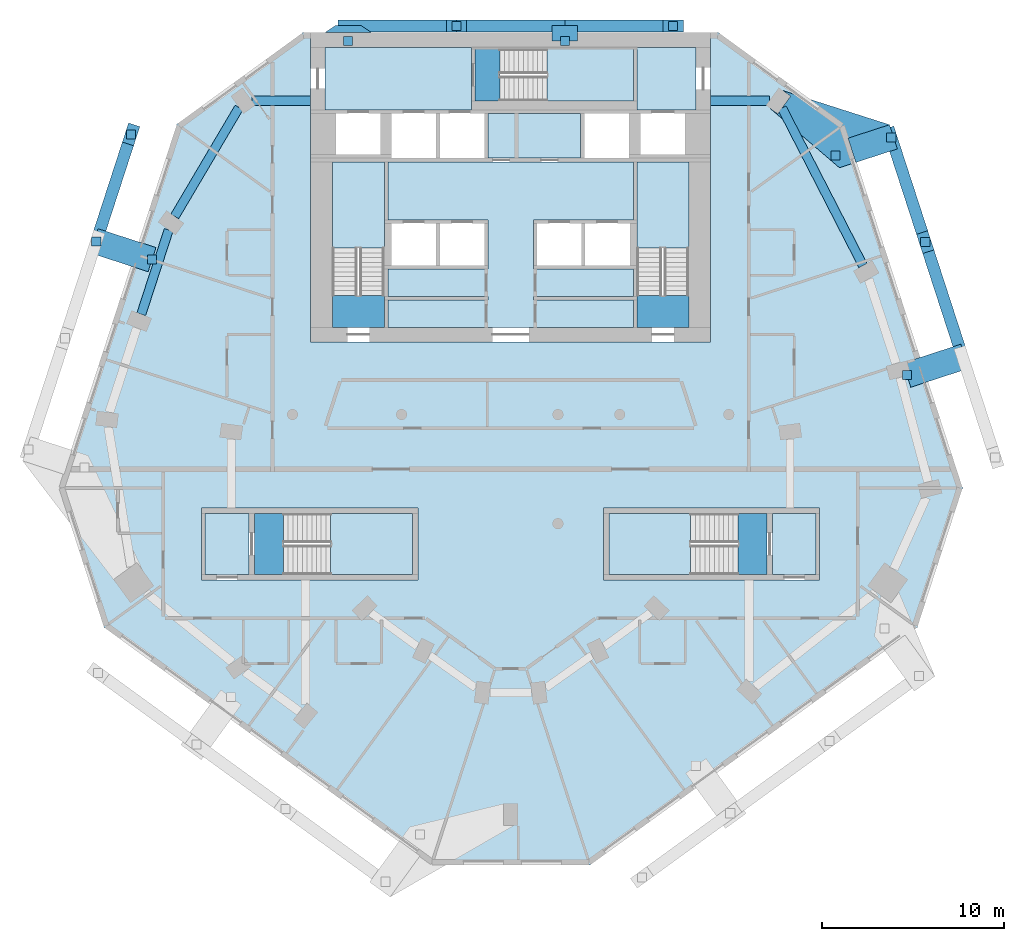
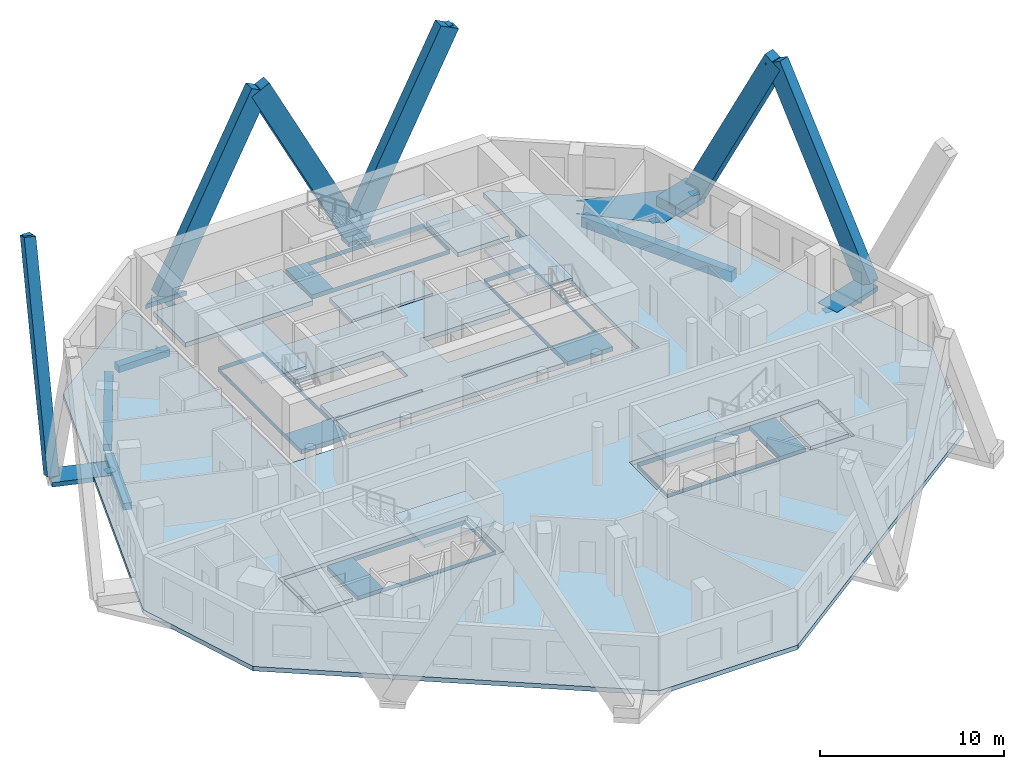
# One storey, part 2 of 10: 17 slabs, 12 members, 11 discrete accessories, 5 beams, 5 elements without a shape of their own.
"""IFC4 building model written with IfcOpenShell, lengths in metres."""

from ifc_helpers import new_model, si_unit, direction, frame, origin, origin_2d, place, context, subcontext, project, spatial, polyline, rectangle, outline, extrude, material, layer, layer_set, material_profile, profile_set, type_object, element, aggregate, save


model = new_model("IFC4")

# Units and contexts
model_context = context("Model", 3, precision=1e-05, world=origin(), true_north=direction((0.0, 1.0)))
body_context = subcontext(model_context, "Body", "Model", "MODEL_VIEW")
ifc_project = project(units=[si_unit("LENGTHUNIT", "METRE"), si_unit("AREAUNIT", "SQUARE_METRE"), si_unit("VOLUMEUNIT", "CUBIC_METRE"), si_unit("PLANEANGLEUNIT", "RADIAN"), si_unit("MASSUNIT", "GRAM", prefix="KILO")], contexts=[model_context])

# Site, building, storey
site_placement = place(None, origin())
site = spatial("IfcSite", under=ifc_project, at=site_placement, CompositionType="ELEMENT")
building_placement = place(site_placement, origin())
building = spatial("IfcBuilding", under=site, at=building_placement, Name="White Candle Pilgrim Tower", CompositionType="ELEMENT")
storey_placement = place(building_placement, frame((0.0, 0.0, 208.199951171875)))
storey = spatial("IfcBuildingStorey", under=building, at=storey_placement, Name="L48", CompositionType="ELEMENT", Elevation=208.199951171875)

# Member
ifc_material_1 = material(Name="Concrete C70/85, white", Category="concrete")
ifc_material_profile_1 = material_profile(ifc_material_1, rectangle(XDim=0.64990234375, YDim=1.25, at=origin_2d()), Name="RC-DG 650x1250")
ifc_profile_set_1 = profile_set([ifc_material_profile_1], Name="Concrete C70/85, white")
member_type_1 = type_object("IfcMemberType", Name="Exoskeleton diagonal RC-DG 650x1250 C70/85", PredefinedType="BRACE", material=ifc_profile_set_1)
member_1_placement = place(storey_placement, frame((72.97900390625, 88.375, 0.0), z_axis=(0.453783992732, 0.0, 0.891111714624), x_axis=(0.0, 1.0, 0.0)))
member_1 = element("IfcMember", 1, at=member_1_placement, inside=storey, type_object=member_type_1, Name="Exoskeleton diagonal EX184", PredefinedType="BRACE", context=body_context, shape_type="SweptSolid", body=[
    extrude(rectangle(XDim=0.64990234375, YDim=1.25, at=origin_2d()), origin(), (0.0, 0.0, 1.0), 13.129638671875),
])

member_2_placement = place(storey_placement, frame((72.97900390625, 88.375, 0.0), z_axis=(-0.453783992732, 0.0, 0.891111714624), x_axis=(0.0, -1.0, 0.0)))
member_2 = element("IfcMember", 2, at=member_2_placement, inside=storey, type_object=member_type_1, Name="Exoskeleton diagonal EX185", PredefinedType="BRACE", context=body_context, shape_type="SweptSolid", body=[
    extrude(rectangle(XDim=0.64990234375, YDim=1.25, at=origin_2d()), origin(), (0.0, 0.0, 1.0), 13.129638671875),
])

member_3_placement = place(storey_placement, frame((61.06298828125, 88.375, 0.0), z_axis=(0.453783992732, 0.0, 0.891111714624), x_axis=(0.0, 1.0, 0.0)))
element("IfcMember", 3, at=member_3_placement, inside=storey, type_object=member_type_1, Name="Exoskeleton diagonal EX186", PredefinedType="BRACE", context=body_context, shape_type="SweptSolid", body=[
    extrude(rectangle(XDim=0.64990234375, YDim=1.25, at=origin_2d()), origin(), (0.0, 0.0, 1.0), 13.129638671875),
])

member_4_placement = place(storey_placement, frame((94.856201171875, 70.162841796875, 0.0), z_axis=(-0.152642632668, 0.46975756596, 0.869498738306), x_axis=(-0.95105107364, -0.309033744642, 0.0)))
member_4 = element("IfcMember", 4, at=member_4_placement, inside=storey, type_object=member_type_1, Name="Exoskeleton diagonal EX197", PredefinedType="BRACE", context=body_context, shape_type="SweptSolid", body=[
    extrude(rectangle(XDim=0.64990234375, YDim=1.25, at=origin_2d()), origin(), (0.0, 0.0, 1.0), 13.4560546875),
])

member_5_placement = place(storey_placement, frame((90.933349609375, 82.235595703125, 0.0), z_axis=(0.141899489942, -0.436709351213, 0.888340856495), x_axis=(0.951053943205, 0.309024913419, 0.0)))
member_5 = element("IfcMember", 5, at=member_5_placement, inside=storey, type_object=member_type_1, Name="Exoskeleton diagonal EX198", PredefinedType="BRACE", context=body_context, shape_type="SweptSolid", body=[
    extrude(rectangle(XDim=0.64990234375, YDim=1.25, at=origin_2d()), origin(), (0.0, 0.0, 1.0), 13.170654296875),
])

member_6_placement = place(storey_placement, frame((47.208251953125, 76.51611328125, 0.0), z_axis=(0.144597602096, 0.445041950183, 0.883758562078), x_axis=(-0.951059840625, 0.309006762953, 0.0)))
member_6 = element("IfcMember", 6, at=member_6_placement, inside=storey, type_object=member_type_1, Name="Exoskeleton diagonal EX232", PredefinedType="BRACE", context=body_context, shape_type="SweptSolid", body=[
    extrude(rectangle(XDim=0.64990234375, YDim=1.25, at=origin_2d()), origin(), (0.0, 0.0, 1.0), 13.23876953125),
])

ifc_layer_1 = layer(ifc_material_1, 0.300048828125)
ifc_layer_set_1 = layer_set([ifc_layer_1], Name="Node tie strut 3350x1400x300 C70/85")
member_type_2 = type_object("IfcMemberType", Name="Node tie strut 3350x1400x300 C70/85", PredefinedType="STRUT", material=ifc_layer_set_1)
member_7_placement = place(storey_placement, frame((93.382080078125, 69.683837890625, -0.2998046875), z_axis=(0.0, 0.0, 1.0), x_axis=(-0.309016994375, 0.951056516295, 0.0)))
member_7 = element("IfcMember", 7, at=member_7_placement, inside=storey, type_object=member_type_2, Name="Node tie strut NC162", PredefinedType="STRUT", context=body_context, shape_type="SweptSolid", body=[
    extrude(rectangle(XDim=1.39990234375, YDim=3.35009765625, at=origin_2d()), origin(), (0.0, 0.0, 1.0), 0.300048828125),
])

member_8_placement = place(storey_placement, frame((0.0, 0.0, -0.349853515625)))
member_8 = element("IfcMember", 8, at=member_8_placement, inside=storey, type_object=member_type_2, Name="Node tie strut NC163", PredefinedType="STRUT", context=body_context, shape_type="SweptSolid", body=[
    extrude(outline(polyline([(88.08251953125, 80.573486328125), (91.2685546875, 81.608642578125), (90.8359375, 82.93994140625), (84.977783203125, 84.814208984375), (85.396240234375, 84.51025390625), (84.69091796875, 83.53955078125), (84.227294921875, 83.87646484375), (88.08251953125, 80.573486328125)])), origin(), (0.0, 0.0, 1.0), 0.349853515625),
])

member_9_placement = place(storey_placement, origin())
element("IfcMember", 9, at=member_9_placement, inside=storey, type_object=member_type_2, Name="Node tie strut NC163", PredefinedType="STRUT", context=body_context, shape_type="SweptSolid", body=[
    extrude(outline(polyline([(88.986083984375, 80.866943359375), (91.2685546875, 81.608642578125), (90.8359375, 82.93994140625), (88.553466796875, 82.198486328125), (88.986083984375, 80.866943359375)])), origin(), (0.0, 0.0, 1.0), 0.650146484375),
])

member_10_placement = place(storey_placement, frame((48.682373046875, 76.037353515625, -0.2998046875), z_axis=(0.0, 0.0, 1.0), x_axis=(-0.309016994375, -0.951056516295, 0.0)))
member_10 = element("IfcMember", 10, at=member_10_placement, inside=storey, type_object=member_type_2, Name="Node tie strut NC170", PredefinedType="STRUT", context=body_context, shape_type="SweptSolid", body=[
    extrude(rectangle(XDim=1.39990234375, YDim=3.35009765625, at=origin_2d()), origin(), (0.0, 0.0, 1.0), 0.300048828125),
])

ifc_layer_2 = layer(ifc_material_1, 0.300048828125)
ifc_layer_set_2 = layer_set([ifc_layer_2], Name="Node tie strut 850x1400x300 C70/85")
member_type_3 = type_object("IfcMemberType", Name="Node tie strut 850x1400x300 C70/85", PredefinedType="STRUT", material=ifc_layer_set_2)
member_11_placement = place(storey_placement, frame((72.97900390625, 87.97509765625, -0.2998046875), z_axis=(0.0, 0.0, 1.0), x_axis=(-1.0, 0.0, 0.0)))
member_11 = element("IfcMember", 11, at=member_11_placement, inside=storey, type_object=member_type_3, Name="Node tie strut NC164", PredefinedType="STRUT", context=body_context, shape_type="SweptSolid", body=[
    extrude(rectangle(XDim=1.39990234375, YDim=0.85009765625, at=origin_2d()), origin(), (0.0, 0.0, 1.0), 0.300048828125),
])

member_12_placement = place(storey_placement, frame((0.0, 0.0, -0.300048828125)))
member_12 = element("IfcMember", 12, at=member_12_placement, inside=storey, type_object=member_type_3, Name="Node tie strut NC165", PredefinedType="STRUT", context=body_context, shape_type="SweptSolid", body=[
    extrude(outline(polyline([(59.762939453125, 88.0), (62.363037109375, 88.0), (61.762939453125, 88.39990234375), (60.363037109375, 88.39990234375), (59.762939453125, 88.0)])), origin(), (0.0, 0.0, 1.0), 0.300048828125),
])

# Beams
ifc_material_2 = material(Name="Concrete C50/60", Category="concrete")
ifc_material_profile_2 = material_profile(ifc_material_2, rectangle(XDim=0.5, YDim=0.449951171875, at=origin_2d()), Name="RC-BM 500x450")
ifc_profile_set_2 = profile_set([ifc_material_profile_2], Name="Concrete C50/60")
beam_type_1 = type_object("IfcBeamType", Name="Spandrel beam RC-BM 500x450 C50/60", PredefinedType="BEAM", material=ifc_profile_set_2)
for number, where, z_axis, x_axis, name in (
    (13, (84.2255859375, 84.260009765625, -0.52490234375), (-1.0, 0.0, 0.0), (0.0, -1.0, 0.0), "L48 spandrel beam T10"),
    (14, (55.7744140625, 84.260009765625, -0.52490234375), (1.0, 0.0, 0.0), (0.0, 1.0, 0.0), "L48 spandrel beam T11"),
):
    element("IfcBeam", number, at=place(storey_placement, frame(where, z_axis=z_axis, x_axis=x_axis)), inside=storey, type_object=beam_type_1, Name=name, PredefinedType="BEAM", context=body_context, shape_type="SweptSolid", body=[
        extrude(rectangle(XDim=0.5, YDim=0.449951171875, at=origin_2d()), origin(), (0.0, 0.0, 1.0), 3.2255859375),
    ])
beam_1_placement = place(storey_placement, frame((55.058349609375, 83.884521484375, -0.52490234375), z_axis=(-0.508250169427, -0.861209478163, 0.0), x_axis=(0.861209478163, -0.508250169427, 0.0)))
element("IfcBeam", 15, at=beam_1_placement, inside=storey, type_object=beam_type_1, Name="L48 spandrel beam T12", PredefinedType="BEAM", context=body_context, shape_type="SweptSolid", body=[
    extrude(rectangle(XDim=0.5, YDim=0.449951171875, at=origin_2d()), origin(), (0.0, 0.0, 1.0), 6.95361328125),
])
beam_2_placement = place(storey_placement, frame((51.18994140625, 77.150146484375, -0.52490234375), z_axis=(-0.30935824251, -0.950945570362, 0.0), x_axis=(0.950945570362, -0.30935824251, 0.0)))
element("IfcBeam", 16, at=beam_2_placement, inside=storey, type_object=beam_type_1, Name="L48 spandrel beam T13", PredefinedType="BEAM", context=body_context, shape_type="SweptSolid", body=[
    extrude(rectangle(XDim=0.5, YDim=0.449951171875, at=origin_2d()), origin(), (0.0, 0.0, 1.0), 4.86767578125),
])
ifc_material_profile_3 = material_profile(ifc_material_2, rectangle(XDim=0.5, YDim=0.699951171875, at=origin_2d()), Name="RC-BM 500x700")
ifc_profile_set_3 = profile_set([ifc_material_profile_3], Name="Concrete C50/60")
beam_type_2 = type_object("IfcBeamType", Name="Spandrel beam RC-BM 500x700 C50/60", PredefinedType="BEAM", material=ifc_profile_set_3)
beam_3_placement = place(storey_placement, frame((89.377197265625, 75.196044921875, -0.64990234375), z_axis=(-0.457020130081, 0.889456351206, 0.0), x_axis=(-0.889456351206, -0.457020130081, 0.0)))
element("IfcBeam", 17, at=beam_3_placement, inside=storey, type_object=beam_type_2, Name="L48 spandrel beam T09", PredefinedType="BEAM", context=body_context, shape_type="SweptSolid", body=[
    extrude(rectangle(XDim=0.5, YDim=0.699951171875, at=origin_2d()), origin(), (0.0, 0.0, 1.0), 9.7421875),
])

# Slabs
ifc_material_3 = material(Name="Concrete C40/50", Category="concrete")
ifc_layer_3 = layer(ifc_material_3, 0.300048828125)
ifc_layer_set_3 = layer_set([ifc_layer_3], Name="Core floor slab 300 mm Concrete C40/50")
slab_type_1 = type_object("IfcSlabType", Name="Core floor slab 300 mm Concrete C40/50", PredefinedType="FLOOR", material=ifc_layer_set_3)
slab_1_placement = place(storey_placement, frame((0.0, 0.0, -0.300048828125)))
element("IfcSlab", 18, at=slab_1_placement, inside=storey, type_object=slab_type_1, Name="CF-L48-01", PredefinedType="FLOOR", context=body_context, shape_type="SweptSolid", body=[
    extrude(outline(polyline([(55.60009765625, 58.199951171875), (53.199951171875, 58.199951171875), (53.199951171875, 61.550048828125), (55.60009765625, 61.550048828125), (55.60009765625, 58.199951171875)])), origin(), (0.0, 0.0, 1.0), 0.300048828125),
])
slab_2_placement = place(storey_placement, frame((0.0, 0.0, -0.300048828125)))
element("IfcSlab", 19, at=slab_2_placement, inside=storey, type_object=slab_type_1, Name="CF-L48-02", PredefinedType="FLOOR", context=body_context, shape_type="SweptSolid", body=[
    extrude(outline(polyline([(55.89990234375, 58.199951171875), (55.89990234375, 61.550048828125), (64.60009765625, 61.550048828125), (64.60009765625, 58.199951171875), (55.89990234375, 58.199951171875)]), holes=[polyline([(57.501953125, 61.548095703125), (57.501953125, 58.201904296875), (64.597900390625, 58.201904296875), (64.597900390625, 61.548095703125), (57.501953125, 61.548095703125)])]), origin(), (0.0, 0.0, 1.0), 0.300048828125),
])
slab_3_placement = place(storey_placement, frame((0.0, 0.0, -0.300048828125)))
element("IfcSlab", 20, at=slab_3_placement, inside=storey, type_object=slab_type_1, Name="CF-L48-03", PredefinedType="FLOOR", context=body_context, shape_type="SweptSolid", body=[
    extrude(outline(polyline([(75.39990234375, 58.199951171875), (75.39990234375, 61.550048828125), (84.10009765625, 61.550048828125), (84.10009765625, 58.199951171875), (75.39990234375, 58.199951171875)]), holes=[polyline([(82.498046875, 58.201904296875), (82.498046875, 61.548095703125), (75.402099609375, 61.548095703125), (75.402099609375, 58.201904296875), (82.498046875, 58.201904296875)])]), origin(), (0.0, 0.0, 1.0), 0.300048828125),
])
slab_4_placement = place(storey_placement, frame((0.0, 0.0, -0.300048828125)))
element("IfcSlab", 21, at=slab_4_placement, inside=storey, type_object=slab_type_1, Name="CF-L48-04", PredefinedType="FLOOR", context=body_context, shape_type="SweptSolid", body=[
    extrude(outline(polyline([(86.800048828125, 58.199951171875), (84.39990234375, 58.199951171875), (84.39990234375, 61.550048828125), (86.800048828125, 61.550048828125), (86.800048828125, 58.199951171875)])), origin(), (0.0, 0.0, 1.0), 0.300048828125),
])
slab_5_placement = place(storey_placement, frame((0.0, 0.0, -0.300048828125)))
element("IfcSlab", 22, at=slab_5_placement, inside=storey, type_object=slab_type_1, Name="CF-L48-05", PredefinedType="FLOOR", context=body_context, shape_type="SweptSolid", body=[
    extrude(outline(polyline([(76.949951171875, 71.800048828125), (76.949951171875, 73.300048828125), (76.949951171875, 73.5), (76.949951171875, 75.0), (76.949951171875, 75.199951171875), (76.949951171875, 77.5), (76.949951171875, 77.699951171875), (76.949951171875, 80.89990234375), (79.800048828125, 80.89990234375), (79.800048828125, 71.800048828125), (76.949951171875, 71.800048828125)]), holes=[polyline([(76.951904296875, 73.552001953125), (79.798095703125, 73.552001953125), (79.798095703125, 80.89794921875), (76.951904296875, 80.89794921875), (76.951904296875, 73.552001953125)])]), origin(), (0.0, 0.0, 1.0), 0.300048828125),
])
slab_6_placement = place(storey_placement, frame((0.0, 0.0, -0.300048828125)))
element("IfcSlab", 23, at=slab_6_placement, inside=storey, type_object=slab_type_1, Name="CF-L48-06", PredefinedType="FLOOR", context=body_context, shape_type="SweptSolid", body=[
    extrude(outline(polyline([(63.25, 71.800048828125), (63.25, 73.300048828125), (68.75, 73.300048828125), (68.75, 73.5), (63.25, 73.5), (63.25, 75.0), (68.75, 75.0), (68.75, 75.199951171875), (68.75, 77.5), (68.75, 77.699951171875), (63.25, 77.699951171875), (63.25, 80.89990234375), (76.75, 80.89990234375), (76.75, 77.699951171875), (71.25, 77.699951171875), (71.25, 77.5), (71.25, 75.199951171875), (71.25, 75.0), (76.75, 75.0), (76.75, 73.5), (71.25, 73.5), (71.25, 73.300048828125), (76.75, 73.300048828125), (76.75, 71.800048828125), (63.25, 71.800048828125)])), origin(), (0.0, 0.0, 1.0), 0.300048828125),
])
slab_7_placement = place(storey_placement, frame((0.0, 0.0, -0.300048828125)))
element("IfcSlab", 24, at=slab_7_placement, inside=storey, type_object=slab_type_1, Name="CF-L48-07", PredefinedType="FLOOR", context=body_context, shape_type="SweptSolid", body=[
    extrude(outline(polyline([(60.199951171875, 71.800048828125), (60.199951171875, 80.89990234375), (63.050048828125, 80.89990234375), (63.050048828125, 77.699951171875), (63.050048828125, 77.5), (63.050048828125, 75.199951171875), (63.050048828125, 75.0), (63.050048828125, 73.5), (63.050048828125, 73.300048828125), (63.050048828125, 71.800048828125), (60.199951171875, 71.800048828125)]), holes=[polyline([(60.201904296875, 73.552001953125), (63.048095703125, 73.552001953125), (63.048095703125, 80.89794921875), (60.201904296875, 80.89794921875), (60.201904296875, 73.552001953125)])]), origin(), (0.0, 0.0, 1.0), 0.300048828125),
])
slab_8_placement = place(storey_placement, frame((0.0, 0.0, -0.300048828125)))
element("IfcSlab", 25, at=slab_8_placement, inside=storey, type_object=slab_type_1, Name="CF-L48-08", PredefinedType="FLOOR", context=body_context, shape_type="SweptSolid", body=[
    extrude(outline(polyline([(59.800048828125, 87.199951171875), (67.85009765625, 87.199951171875), (67.85009765625, 87.10009765625), (67.85009765625, 84.25), (67.85009765625, 83.75), (59.800048828125, 83.75), (59.800048828125, 87.199951171875)])), origin(), (0.0, 0.0, 1.0), 0.300048828125),
])
slab_9_placement = place(storey_placement, frame((0.0, 0.0, -0.300048828125)))
element("IfcSlab", 26, at=slab_9_placement, inside=storey, type_object=slab_type_1, Name="CF-L48-09", PredefinedType="FLOOR", context=body_context, shape_type="SweptSolid", body=[
    extrude(outline(polyline([(80.199951171875, 87.199951171875), (80.199951171875, 83.75), (76.949951171875, 83.75), (76.949951171875, 84.25), (76.949951171875, 87.10009765625), (76.949951171875, 87.199951171875), (80.199951171875, 87.199951171875)])), origin(), (0.0, 0.0, 1.0), 0.300048828125),
])
slab_10_placement = place(storey_placement, frame((0.0, 0.0, -0.300048828125)))
element("IfcSlab", 27, at=slab_10_placement, inside=storey, type_object=slab_type_1, Name="CF-L48-10", PredefinedType="FLOOR", context=body_context, shape_type="SweptSolid", body=[
    extrude(outline(polyline([(68.050048828125, 87.10009765625), (76.75, 87.10009765625), (76.75, 84.25), (68.050048828125, 84.25), (68.050048828125, 87.10009765625)]), holes=[polyline([(69.402099609375, 87.097900390625), (69.402099609375, 84.251953125), (76.748046875, 84.251953125), (76.748046875, 87.097900390625), (69.402099609375, 87.097900390625)])]), origin(), (0.0, 0.0, 1.0), 0.300048828125),
])
slab_11_placement = place(storey_placement, frame((0.0, 0.0, -0.300048828125)))
element("IfcSlab", 28, at=slab_11_placement, inside=storey, type_object=slab_type_1, Name="CF-L48-11", PredefinedType="FLOOR", context=body_context, shape_type="SweptSolid", body=[
    extrude(outline(polyline([(73.85009765625, 83.550048828125), (73.85009765625, 81.10009765625), (68.75, 81.10009765625), (68.75, 83.550048828125), (73.85009765625, 83.550048828125)])), origin(), (0.0, 0.0, 1.0), 0.300048828125),
])
ifc_layer_4 = layer(ifc_material_3, 0.300048828125)
ifc_layer_set_4 = layer_set([ifc_layer_4], Name="Floor slab 300 REI 120")
slab_type_2 = type_object("IfcSlabType", Name="Floor slab 300 REI 120", PredefinedType="FLOOR", material=ifc_layer_set_4)
slab_12_placement = place(storey_placement, frame((0.0, 0.0, -0.300048828125)))
element("IfcSlab", 29, at=slab_12_placement, inside=storey, type_object=slab_type_2, Name="L48 floor slab", PredefinedType="FLOOR", context=body_context, shape_type="SweptSolid", body=[
    extrude(outline(polyline([(65.63525390625, 42.219482421875), (74.36474609375, 42.219482421875), (92.364990234375, 55.29736328125), (94.85595703125, 62.96337890625), (88.353759765625, 82.974609375), (81.43701171875, 88.0), (81.0, 88.0), (81.0, 71.0), (59.0, 71.0), (59.0, 88.0), (58.56298828125, 88.0), (51.646240234375, 82.974609375), (45.14404296875, 62.96337890625), (47.635009765625, 55.29736328125), (65.63525390625, 42.219482421875)]), holes=[polyline([(53.0, 57.89990234375), (53.0, 61.85009765625), (64.89990234375, 61.85009765625), (64.89990234375, 57.89990234375), (53.0, 57.89990234375)]), polyline([(75.10009765625, 57.89990234375), (75.10009765625, 61.85009765625), (87.0, 61.85009765625), (87.0, 57.89990234375), (75.10009765625, 57.89990234375)])]), origin(), (0.0, 0.0, 1.0), 0.300048828125),
])

# Stair, slab
stair_type_1 = type_object("IfcStairType", Name="Exit stair 1 flight width 1350 mm", PredefinedType="HALF_TURN_STAIR", material=ifc_material_3)
stair_1_placement = place(storey_placement, origin())
stair_1 = element("IfcStair", 30, at=stair_1_placement, inside=storey, type_object=stair_type_1, Name="L48 stair 1", PredefinedType="NOTDEFINED")
ifc_layer_5 = layer(ifc_material_3, 0.199951171875)
ifc_layer_set_5 = layer_set([ifc_layer_5], Name="Stair landing Concrete C40/50")
slab_type_3 = type_object("IfcSlabType", Name="Stair landing Concrete C40/50", PredefinedType="LANDING", material=ifc_layer_set_5)
slab_13_placement = place(storey_placement, frame((0.0, 0.0, 1.75)))
slab_13 = element("IfcSlab", 31, at=slab_13_placement, type_object=slab_type_3, Name="ST1 landing 1", PredefinedType="LANDING", context=body_context, shape_type="SweptSolid", body=[
    extrude(outline(polyline([(63.052001953125, 76.14794921875), (60.197998046875, 76.14794921875), (60.197998046875, 80.902099609375), (63.052001953125, 80.902099609375), (63.052001953125, 76.14794921875)])), origin(), (0.0, 0.0, 1.0), 0.199951171875),
])
aggregate(stair_1, [slab_13])

stair_type_2 = type_object("IfcStairType", Name="Exit stair 2 flight width 1350 mm", PredefinedType="HALF_TURN_STAIR", material=ifc_material_3)
stair_2_placement = place(storey_placement, origin())
stair_2 = element("IfcStair", 32, at=stair_2_placement, inside=storey, type_object=stair_type_2, Name="L48 stair 2", PredefinedType="NOTDEFINED")
slab_14_placement = place(storey_placement, frame((0.0, 0.0, 1.75)))
slab_14 = element("IfcSlab", 33, at=slab_14_placement, type_object=slab_type_3, Name="ST2 landing 1", PredefinedType="LANDING", context=body_context, shape_type="SweptSolid", body=[
    extrude(outline(polyline([(79.802001953125, 76.14794921875), (76.947998046875, 76.14794921875), (76.947998046875, 80.902099609375), (79.802001953125, 80.902099609375), (79.802001953125, 76.14794921875)])), origin(), (0.0, 0.0, 1.0), 0.199951171875),
])
aggregate(stair_2, [slab_14])

stair_type_3 = type_object("IfcStairType", Name="Exit stair 3 flight width 1350 mm", PredefinedType="HALF_TURN_STAIR", material=ifc_material_3)
stair_3_placement = place(storey_placement, origin())
stair_3 = element("IfcStair", 34, at=stair_3_placement, inside=storey, type_object=stair_type_3, Name="L48 stair 3", PredefinedType="NOTDEFINED")
slab_15_placement = place(storey_placement, frame((0.0, 0.0, 1.75)))
slab_15 = element("IfcSlab", 35, at=slab_15_placement, type_object=slab_type_3, Name="ST3 landing 1", PredefinedType="LANDING", context=body_context, shape_type="SweptSolid", body=[
    extrude(outline(polyline([(71.998046875, 84.248046875), (71.998046875, 87.10205078125), (76.751953125, 87.10205078125), (76.751953125, 84.248046875), (71.998046875, 84.248046875)])), origin(), (0.0, 0.0, 1.0), 0.199951171875),
])
aggregate(stair_3, [slab_15])

stair_type_4 = type_object("IfcStairType", Name="Exit stair 4 flight width 1600 mm", PredefinedType="HALF_TURN_STAIR", material=ifc_material_3)
stair_4_placement = place(storey_placement, origin())
stair_4 = element("IfcStair", 36, at=stair_4_placement, inside=storey, type_object=stair_type_4, Name="L48 stair 4", PredefinedType="NOTDEFINED")
slab_16_placement = place(storey_placement, frame((0.0, 0.0, 1.75)))
slab_16 = element("IfcSlab", 37, at=slab_16_placement, type_object=slab_type_3, Name="ST4 landing 1", PredefinedType="LANDING", context=body_context, shape_type="SweptSolid", body=[
    extrude(outline(polyline([(79.902099609375, 61.552001953125), (79.902099609375, 58.197998046875), (75.39794921875, 58.197998046875), (75.39794921875, 61.552001953125), (79.902099609375, 61.552001953125)])), origin(), (0.0, 0.0, 1.0), 0.199951171875),
])
aggregate(stair_4, [slab_16])

stair_type_5 = type_object("IfcStairType", Name="Exit stair 5 flight width 1600 mm", PredefinedType="HALF_TURN_STAIR", material=ifc_material_3)
stair_5_placement = place(storey_placement, origin())
stair_5 = element("IfcStair", 38, at=stair_5_placement, inside=storey, type_object=stair_type_5, Name="L48 stair 5", PredefinedType="NOTDEFINED")
slab_17_placement = place(storey_placement, frame((0.0, 0.0, 1.75)))
slab_17 = element("IfcSlab", 39, at=slab_17_placement, type_object=slab_type_3, Name="ST5 landing 1", PredefinedType="LANDING", context=body_context, shape_type="SweptSolid", body=[
    extrude(outline(polyline([(60.097900390625, 58.197998046875), (60.097900390625, 61.552001953125), (64.60205078125, 61.552001953125), (64.60205078125, 58.197998046875), (60.097900390625, 58.197998046875)])), origin(), (0.0, 0.0, 1.0), 0.199951171875),
])
aggregate(stair_5, [slab_17])

# Discrete accessory
ifc_material_4 = material(Name="Steel S355", Category="steel")
ifc_layer_6 = layer(ifc_material_4, 0.02490234375)
ifc_layer_set_6 = layer_set([ifc_layer_6], Name="Gusset plate 500x500x25 S355")
discrete_accessory_type = type_object("IfcDiscreteAccessoryType", Name="Gusset plate 500x500x25 S355", PredefinedType="BRACKET", material=ifc_layer_set_6)
placement = place(building_placement, frame((0.0, 0.0, 219.89990234375)))
discrete_accessory_1_placement = place(placement, frame((78.93701171875, 88.375, -0.012451171875), z_axis=(0.0, 0.0, 1.0), x_axis=(1.0, 0.0, 0.0)))
discrete_accessory_1 = element("IfcDiscreteAccessory", 40, at=discrete_accessory_1_placement, type_object=discrete_accessory_type, Name="Gusset plate 0211", PredefinedType="BRACKET", context=body_context, shape_type="SweptSolid", body=[
    extrude(rectangle(XDim=0.5, YDim=0.5, at=origin_2d()), origin(), (0.0, 0.0, 1.0), 0.02490234375),
])

aggregate(member_1, [discrete_accessory_1])

discrete_accessory_2_placement = place(placement, frame((67.02099609375, 88.375, -0.012451171875), z_axis=(0.0, 0.0, 1.0), x_axis=(1.0, 0.0, 0.0)))
discrete_accessory_2 = element("IfcDiscreteAccessory", 41, at=discrete_accessory_2_placement, type_object=discrete_accessory_type, Name="Gusset plate 0212", PredefinedType="BRACKET", context=body_context, shape_type="SweptSolid", body=[
    extrude(rectangle(XDim=0.5, YDim=0.5, at=origin_2d()), origin(), (0.0, 0.0, 1.0), 0.02490234375),
])

aggregate(member_2, [discrete_accessory_2])

discrete_accessory_3_placement = place(placement, frame((92.80224609375, 76.48388671875, -0.012451171875), z_axis=(0.0, 0.0, 1.0), x_axis=(1.0, 0.0, 0.0)))
discrete_accessory_3 = element("IfcDiscreteAccessory", 42, at=discrete_accessory_3_placement, type_object=discrete_accessory_type, Name="Gusset plate 0222", PredefinedType="BRACKET", context=body_context, shape_type="SweptSolid", body=[
    extrude(rectangle(XDim=0.5, YDim=0.5, at=origin_2d()), origin(), (0.0, 0.0, 1.0), 0.02490234375),
])

aggregate(member_4, [discrete_accessory_3])

discrete_accessory_4_placement = place(storey_placement, frame((90.933349609375, 82.235595703125, -0.012451171875), z_axis=(0.0, 0.0, 1.0), x_axis=(1.0, 0.0, 0.0)))
discrete_accessory_4 = element("IfcDiscreteAccessory", 43, at=discrete_accessory_4_placement, type_object=discrete_accessory_type, Name="Gusset plate 0223", PredefinedType="BRACKET", context=body_context, shape_type="SweptSolid", body=[
    extrude(rectangle(XDim=0.5, YDim=0.5, at=origin_2d()), origin(), (0.0, 0.0, 1.0), 0.02490234375),
])

aggregate(member_5, [discrete_accessory_4])

discrete_accessory_5_placement = place(storey_placement, frame((47.208251953125, 76.51611328125, -0.012451171875), z_axis=(0.0, 0.0, 1.0), x_axis=(1.0, 0.0, 0.0)))
discrete_accessory_5 = element("IfcDiscreteAccessory", 44, at=discrete_accessory_5_placement, type_object=discrete_accessory_type, Name="Gusset plate 0269", PredefinedType="BRACKET", context=body_context, shape_type="SweptSolid", body=[
    extrude(rectangle(XDim=0.5, YDim=0.5, at=origin_2d()), origin(), (0.0, 0.0, 1.0), 0.02490234375),
])

discrete_accessory_6_placement = place(placement, frame((49.12255859375, 82.407958984375, -0.012451171875), z_axis=(0.0, 0.0, 1.0), x_axis=(1.0, 0.0, 0.0)))
discrete_accessory_6 = element("IfcDiscreteAccessory", 45, at=discrete_accessory_6_placement, type_object=discrete_accessory_type, Name="Gusset plate 0270", PredefinedType="BRACKET", context=body_context, shape_type="SweptSolid", body=[
    extrude(rectangle(XDim=0.5, YDim=0.5, at=origin_2d()), origin(), (0.0, 0.0, 1.0), 0.02490234375),
])

aggregate(member_6, [discrete_accessory_5, discrete_accessory_6])

discrete_accessory_7_placement = place(storey_placement, frame((91.7890625, 69.166259765625, -0.162353515625), z_axis=(0.0, 0.0, 1.0), x_axis=(1.0, 0.0, 0.0)))
discrete_accessory_7 = element("IfcDiscreteAccessory", 46, at=discrete_accessory_7_placement, type_object=discrete_accessory_type, Name="Gusset plate 0543", PredefinedType="BRACKET", context=body_context, shape_type="SweptSolid", body=[
    extrude(rectangle(XDim=0.5, YDim=0.5, at=origin_2d()), origin(), (0.0, 0.0, 1.0), 0.02490234375),
])

aggregate(member_7, [discrete_accessory_7])

discrete_accessory_8_placement = place(storey_placement, frame((87.8662109375, 81.239013671875, -0.162353515625), z_axis=(0.0, 0.0, 1.0), x_axis=(1.0, 0.0, 0.0)))
discrete_accessory_8 = element("IfcDiscreteAccessory", 47, at=discrete_accessory_8_placement, type_object=discrete_accessory_type, Name="Gusset plate 0544", PredefinedType="BRACKET", context=body_context, shape_type="SweptSolid", body=[
    extrude(rectangle(XDim=0.5, YDim=0.5, at=origin_2d()), origin(), (0.0, 0.0, 1.0), 0.02490234375),
])

aggregate(member_8, [discrete_accessory_8])

discrete_accessory_9_placement = place(storey_placement, frame((72.97900390625, 87.550048828125, -0.162353515625), z_axis=(0.0, 0.0, 1.0), x_axis=(1.0, 0.0, 0.0)))
discrete_accessory_9 = element("IfcDiscreteAccessory", 48, at=discrete_accessory_9_placement, type_object=discrete_accessory_type, Name="Gusset plate 0545", PredefinedType="BRACKET", context=body_context, shape_type="SweptSolid", body=[
    extrude(rectangle(XDim=0.5, YDim=0.5, at=origin_2d()), origin(), (0.0, 0.0, 1.0), 0.02490234375),
])

aggregate(member_11, [discrete_accessory_9])

discrete_accessory_10_placement = place(storey_placement, frame((61.06298828125, 87.550048828125, -0.162353515625), z_axis=(0.0, 0.0, 1.0), x_axis=(1.0, 0.0, 0.0)))
discrete_accessory_10 = element("IfcDiscreteAccessory", 49, at=discrete_accessory_10_placement, type_object=discrete_accessory_type, Name="Gusset plate 0546", PredefinedType="BRACKET", context=body_context, shape_type="SweptSolid", body=[
    extrude(rectangle(XDim=0.5, YDim=0.5, at=origin_2d()), origin(), (0.0, 0.0, 1.0), 0.02490234375),
])

aggregate(member_12, [discrete_accessory_10])

discrete_accessory_11_placement = place(storey_placement, frame((50.275390625, 75.519775390625, -0.162353515625), z_axis=(0.0, 0.0, 1.0), x_axis=(1.0, 0.0, 0.0)))
discrete_accessory_11 = element("IfcDiscreteAccessory", 50, at=discrete_accessory_11_placement, type_object=discrete_accessory_type, Name="Gusset plate 0551", PredefinedType="BRACKET", context=body_context, shape_type="SweptSolid", body=[
    extrude(rectangle(XDim=0.5, YDim=0.5, at=origin_2d()), origin(), (0.0, 0.0, 1.0), 0.02490234375),
])

aggregate(member_10, [discrete_accessory_11])

save(model, "model.ifc")
